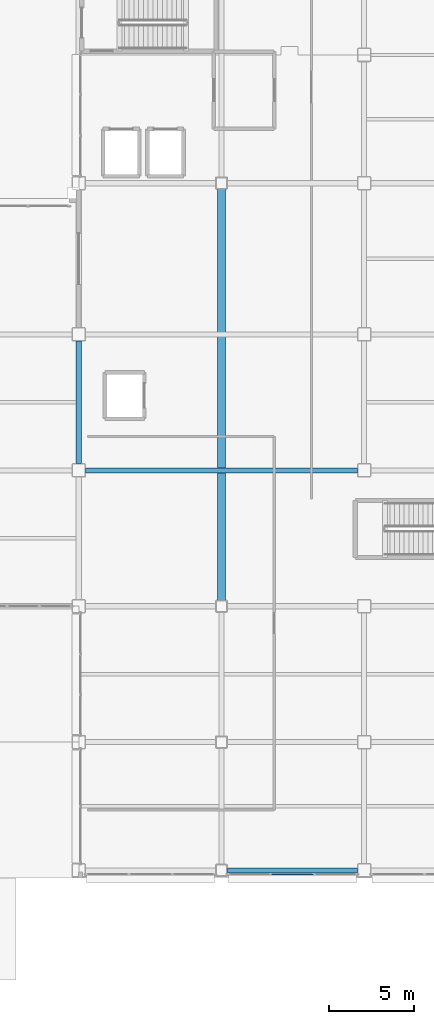
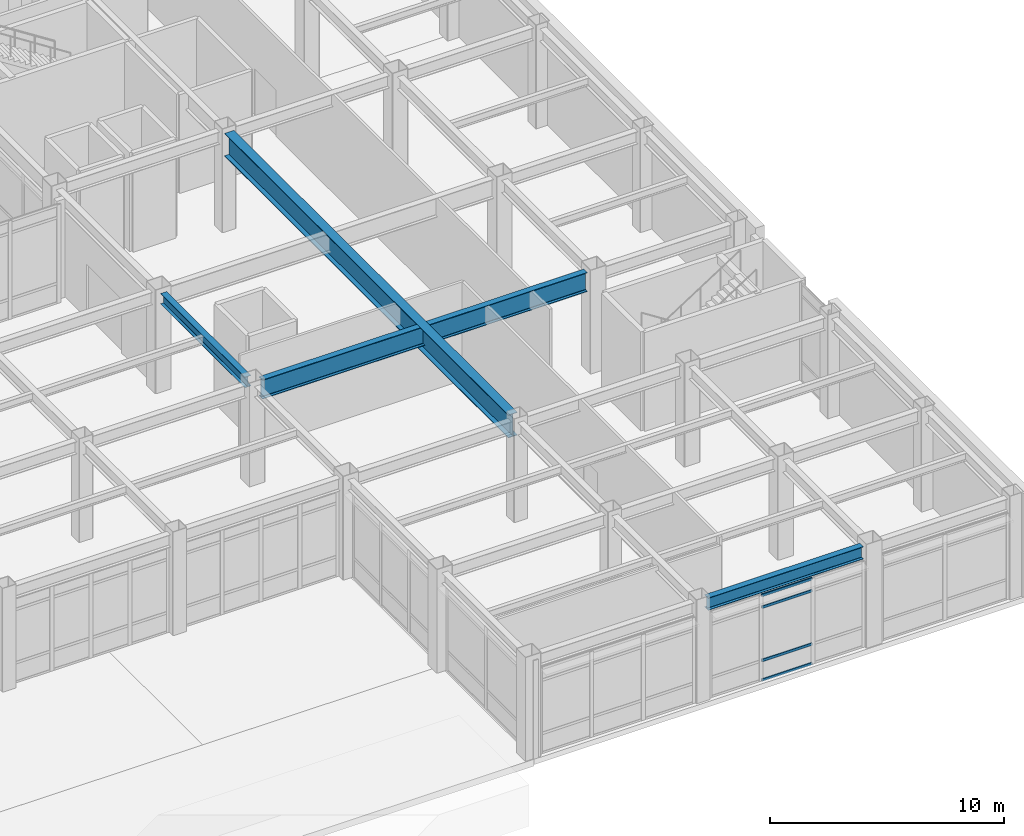
# One storey, part 88 of 165: 4 beams, 4 members, 1 element without a shape of its own.
"""IFC4 building model written with IfcOpenShell, lengths in metres."""

from ifc_helpers import new_model, si_unit, direction, frame, origin, origin_2d, place, context, subcontext, project, spatial, hollow_rectangle, i_section, extrude, material, layer, layer_set, material_profile, profile_set, type_object, element, aggregate, save


model = new_model("IFC4")

# Units and contexts
model_context = context("Model", 3, precision=1e-05, world=origin(), true_north=direction((0.0, 1.0)))
body_context = subcontext(model_context, "Body", "Model", "MODEL_VIEW")
ifc_project = project(units=[si_unit("LENGTHUNIT", "METRE"), si_unit("AREAUNIT", "SQUARE_METRE"), si_unit("VOLUMEUNIT", "CUBIC_METRE"), si_unit("PLANEANGLEUNIT", "RADIAN"), si_unit("MASSUNIT", "GRAM", prefix="KILO")], contexts=[model_context])

# Site, building, storey
site_placement = place(None, origin())
site = spatial("IfcSite", under=ifc_project, at=site_placement, CompositionType="ELEMENT")
building_placement = place(site_placement, origin())
building = spatial("IfcBuilding", under=site, at=building_placement, Name="Kazehara Bluff Congress Hotel", CompositionType="ELEMENT")
storey_placement = place(building_placement, origin())
storey = spatial("IfcBuildingStorey", under=building, at=storey_placement, Name="L00", CompositionType="ELEMENT", Elevation=0.0)

# Curtain wall, members
ifc_material_1 = material(Name="Anodised aluminium", Category="aluminium")
ifc_layer = layer(ifc_material_1, 0.159912109375)
ifc_layer_set = layer_set([ifc_layer], Name="Anodised aluminium")
curtain_wall_type = type_object("IfcCurtainWallType", Name="TP-CW-19", PredefinedType="NOTDEFINED", material=ifc_layer_set)
curtain_wall_placement = place(storey_placement, origin())
curtain_wall = element("IfcCurtainWall", 1, at=curtain_wall_placement, inside=storey, type_object=curtain_wall_type, Name="L00 curtain wall CW-19 CW-ENC-V5-L00-15627-22", PredefinedType="NOTDEFINED")
ifc_material_2 = material(Name="Anodised aluminium", Category="aluminium")
ifc_material_profile_1 = material_profile(ifc_material_2, hollow_rectangle(XDim=0.06494140625, YDim=0.139892578125, WallThickness=0.00390625, InnerFilletRadius=0.00390625, OuterFilletRadius=0.008056640625, at=origin_2d()))
ifc_profile_set_1 = profile_set([ifc_material_profile_1], Name="Anodised aluminium")
member_type = type_object("IfcMemberType", Name="TP-CWT-02", PredefinedType="USERDEFINED", material=ifc_profile_set_1)
member_1_placement = place(storey_placement, frame((157.514892578125, 0.219970703125, 0.032470703125), z_axis=(-1.0, 0.0, 0.0), x_axis=(0.0, -1.0, 0.0)))
member_1 = element("IfcMember", 2, at=member_1_placement, type_object=member_type, Name="CW-19 transom 2.1", ObjectType="TRANSOM", PredefinedType="USERDEFINED", context=body_context, shape_type="SweptSolid", body=[
    extrude(hollow_rectangle(XDim=0.06494140625, YDim=0.139892578125, WallThickness=0.00390625, InnerFilletRadius=0.00390625, OuterFilletRadius=0.008056640625, at=origin_2d()), origin(), (0.0, 0.0, 1.0), 2.47998046875),
])
member_2_placement = place(storey_placement, frame((157.514892578125, 0.219970703125, 1.050048828125), z_axis=(-1.0, 0.0, 0.0), x_axis=(0.0, -1.0, 0.0)))
member_2 = element("IfcMember", 3, at=member_2_placement, type_object=member_type, Name="CW-19 transom 2.2", ObjectType="TRANSOM", PredefinedType="USERDEFINED", context=body_context, shape_type="SweptSolid", body=[
    extrude(hollow_rectangle(XDim=0.06494140625, YDim=0.139892578125, WallThickness=0.00390625, InnerFilletRadius=0.00390625, OuterFilletRadius=0.008056640625, at=origin_2d()), origin(), (0.0, 0.0, 1.0), 2.47998046875),
])
member_3_placement = place(storey_placement, frame((157.514892578125, 0.219970703125, 3.824951171875), z_axis=(-1.0, 0.0, 0.0), x_axis=(0.0, -1.0, 0.0)))
member_3 = element("IfcMember", 4, at=member_3_placement, type_object=member_type, Name="CW-19 transom 2.3", ObjectType="TRANSOM", PredefinedType="USERDEFINED", context=body_context, shape_type="SweptSolid", body=[
    extrude(hollow_rectangle(XDim=0.06494140625, YDim=0.139892578125, WallThickness=0.00390625, InnerFilletRadius=0.00390625, OuterFilletRadius=0.008056640625, at=origin_2d()), origin(), (0.0, 0.0, 1.0), 2.47998046875),
])
member_4_placement = place(storey_placement, frame((157.514892578125, 0.219970703125, 4.4423828125), z_axis=(-1.0, 0.0, 0.0), x_axis=(0.0, -1.0, 0.0)))
member_4 = element("IfcMember", 5, at=member_4_placement, type_object=member_type, Name="CW-19 transom 2.4", ObjectType="TRANSOM", PredefinedType="USERDEFINED", context=body_context, shape_type="SweptSolid", body=[
    extrude(hollow_rectangle(XDim=0.06494140625, YDim=0.139892578125, WallThickness=0.00390625, InnerFilletRadius=0.00390625, OuterFilletRadius=0.008056640625, at=origin_2d()), origin(), (0.0, 0.0, 1.0), 2.47998046875),
])
aggregate(curtain_wall, [member_1, member_2, member_3, member_4])

# Beams
ifc_material_3 = material(Name="Steel SN490B", Category="steel")
ifc_material_profile_2 = material_profile(ifc_material_3, i_section(OverallWidth=0.300048828125, OverallDepth=0.64990234375, WebThickness=0.011962890625, FlangeThickness=0.02001953125, FilletRadius=0.012939453125, at=origin_2d()))
ifc_profile_set_2 = profile_set([ifc_material_profile_2], Name="Steel SN490B")
beam_type_1 = type_object("IfcBeamType", Name="TP-G-03", PredefinedType="BEAM", material=ifc_profile_set_2)
beam_1_placement = place(storey_placement, frame((152.449951171875, 0.449951171875, 4.824951171875), z_axis=(1.0, 0.0, 0.0), x_axis=(0.0, 1.0, 0.0)))
element("IfcBeam", 6, at=beam_1_placement, inside=storey, type_object=beam_type_1, Name="L00 girder G-03 272", PredefinedType="BEAM", context=body_context, shape_type="SweptSolid", body=[
    extrude(i_section(OverallWidth=0.300048828125, OverallDepth=0.64990234375, WebThickness=0.011962890625, FlangeThickness=0.02001953125, FilletRadius=0.012939453125, at=origin_2d()), origin(), (0.0, 0.0, 1.0), 7.650146484375),
])
ifc_material_4 = material(Name="Steel SN490B", Category="steel")
ifc_material_profile_3 = material_profile(ifc_material_4, i_section(OverallWidth=0.300048828125, OverallDepth=1.0, WebThickness=0.01611328125, FlangeThickness=0.028076171875, FilletRadius=0.02197265625, at=origin_2d()))
ifc_profile_set_3 = profile_set([ifc_material_profile_3], Name="Steel SN490B")
beam_type_2 = type_object("IfcBeamType", Name="TP-G-09", PredefinedType="BEAM", material=ifc_profile_set_3)
beam_2_placement = place(storey_placement, frame((144.10009765625, 24.0, 4.64990234375), z_axis=(1.0, 0.0, 0.0), x_axis=(0.0, 1.0, 0.0)))
element("IfcBeam", 7, at=beam_2_placement, inside=storey, type_object=beam_type_2, Name="L00 girder G-09 288", PredefinedType="BEAM", context=body_context, shape_type="SweptSolid", body=[
    extrude(i_section(OverallWidth=0.300048828125, OverallDepth=1.0, WebThickness=0.01611328125, FlangeThickness=0.028076171875, FilletRadius=0.02197265625, at=origin_2d()), origin(), (0.0, 0.0, 1.0), 16.0),
])
ifc_material_5 = material(Name="Steel SN490B", Category="steel")
ifc_material_profile_4 = material_profile(ifc_material_5, i_section(OverallWidth=0.449951171875, OverallDepth=1.199951171875, WebThickness=0.02001953125, FlangeThickness=0.031982421875, at=origin_2d()))
ifc_profile_set_4 = profile_set([ifc_material_profile_4], Name="Steel SN490B")
beam_type_3 = type_object("IfcBeamType", Name="TP-G-10", PredefinedType="BEAM", material=ifc_profile_set_4)
beam_3_placement = place(storey_placement, frame((152.10009765625, 16.35009765625, 4.550048828125), z_axis=(0.0, 1.0, 0.0), x_axis=(-1.0, 0.0, 0.0)))
element("IfcBeam", 8, at=beam_3_placement, inside=storey, type_object=beam_type_3, Name="L00 girder G-10 244", PredefinedType="BEAM", context=body_context, shape_type="SweptSolid", body=[
    extrude(i_section(OverallWidth=0.449951171875, OverallDepth=1.199951171875, WebThickness=0.02001953125, FlangeThickness=0.031982421875, at=origin_2d()), origin(), (0.0, 0.0, 1.0), 24.199951171875),
])
ifc_material_6 = material(Name="Steel SN490B", Category="steel")
ifc_material_profile_5 = material_profile(ifc_material_6, i_section(OverallWidth=0.300048828125, OverallDepth=0.550048828125, WebThickness=0.010986328125, FlangeThickness=0.01806640625, FilletRadius=0.012939453125, at=origin_2d()))
ifc_profile_set_5 = profile_set([ifc_material_profile_5], Name="Steel SN490B")
beam_type_4 = type_object("IfcBeamType", Name="TP-SP-01", PredefinedType="SPANDREL", material=ifc_profile_set_5)
beam_4_placement = place(storey_placement, frame((143.699951171875, 24.39990234375, 4.875), z_axis=(0.0, 1.0, 0.0), x_axis=(-1.0, 0.0, 0.0)))
element("IfcBeam", 9, at=beam_4_placement, inside=storey, type_object=beam_type_4, Name="L00 girder SP-01 232", PredefinedType="SPANDREL", context=body_context, shape_type="SweptSolid", body=[
    extrude(i_section(OverallWidth=0.300048828125, OverallDepth=0.550048828125, WebThickness=0.010986328125, FlangeThickness=0.01806640625, FilletRadius=0.012939453125, at=origin_2d()), origin(), (0.0, 0.0, 1.0), 7.2001953125),
])

save(model, "model.ifc")
